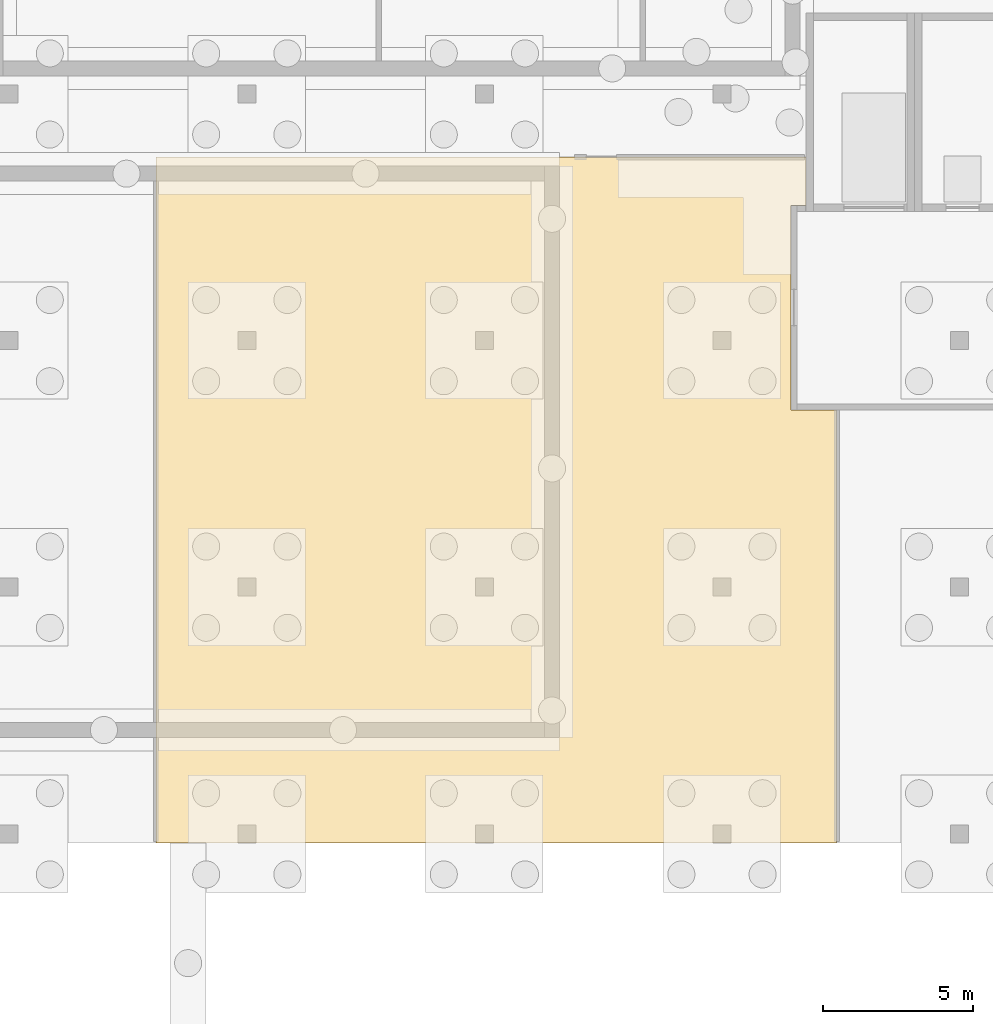
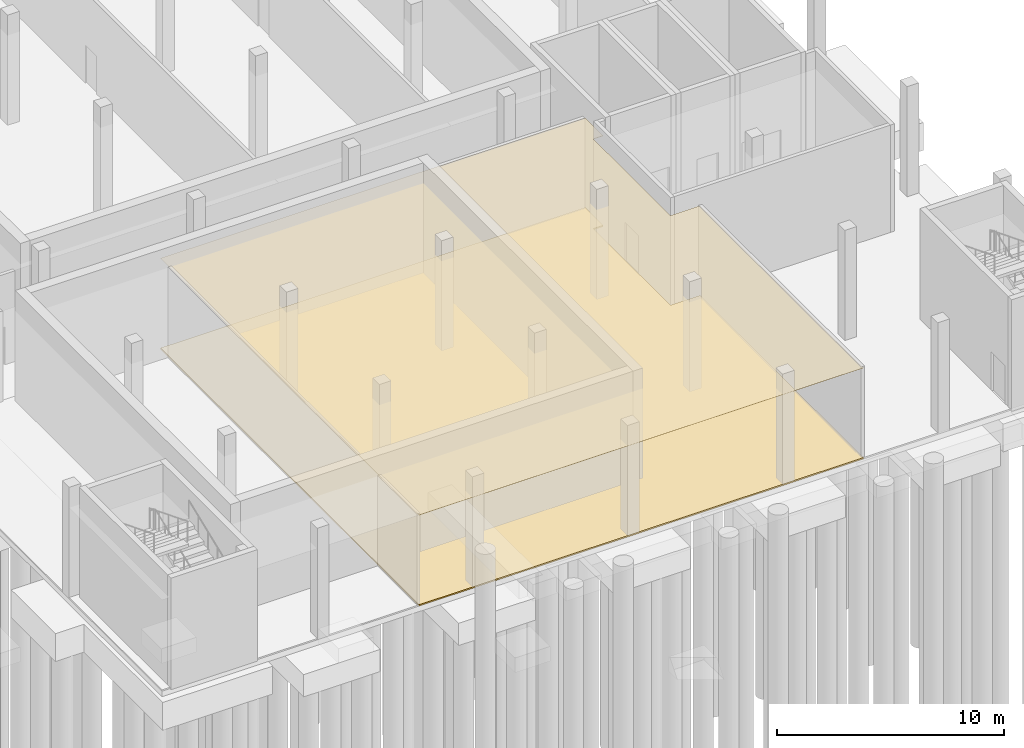
# One storey, part 61 of 66: 2 coverings.
"""IFC4 building model written with IfcOpenShell, lengths in metres."""

from ifc_helpers import new_model, si_unit, direction, frame, origin, place, context, subcontext, project, spatial, polyline, outline, extrude, material, layer, layer_set, type_object, element, save


model = new_model("IFC4")

# Units and contexts
model_context = context("Model", 3, precision=1e-05, world=origin(), true_north=direction((0.0, 1.0)))
body_context = subcontext(model_context, "Body", "Model", "MODEL_VIEW")
ifc_project = project(units=[si_unit("LENGTHUNIT", "METRE"), si_unit("AREAUNIT", "SQUARE_METRE"), si_unit("VOLUMEUNIT", "CUBIC_METRE"), si_unit("PLANEANGLEUNIT", "RADIAN"), si_unit("MASSUNIT", "GRAM", prefix="KILO")], contexts=[model_context])

# Site, building, storey
site_placement = place(None, origin())
site = spatial("IfcSite", under=ifc_project, at=site_placement, CompositionType="ELEMENT")
building_placement = place(site_placement, origin())
building = spatial("IfcBuilding", under=site, at=building_placement, Name="Lunette Opera House", CompositionType="ELEMENT")
storey_placement = place(building_placement, frame((0.0, 0.0, -6.0)))
storey = spatial("IfcBuildingStorey", under=building, at=storey_placement, Name="B1", CompositionType="ELEMENT", Elevation=-6.0)

# Coverings
ifc_material_1 = material(Name="Cement screed")
ifc_layer_1 = layer(ifc_material_1, 0.070068359375)
ifc_layer_set_1 = layer_set([ifc_layer_1], Name="Cement screed")
covering_type_1 = type_object("IfcCoveringType", Name="SCREED FLOOR FINISH 70", PredefinedType="FLOORING", material=ifc_layer_set_1)
covering_1_placement = place(storey_placement, origin())
element("IfcCovering", 1, at=covering_1_placement, inside=storey, type_object=covering_type_1, Name="Floor finish Chiller Plant Room", PredefinedType="FLOORING", context=body_context, shape_type="SweptSolid", body=[
    extrude(outline(polyline([(170.699951171875, 99.199951171875), (170.199951171875, 99.199951171875), (170.199951171875, 92.39990234375), (171.712890625, 92.39990234375), (171.712890625, 78.0), (149.0849609375, 78.0), (149.0849609375, 100.800048828125), (170.699951171875, 100.800048828125), (170.699951171875, 99.199951171875)])), origin(), (0.0, 0.0, 1.0), 0.070068359375),
])
ifc_material_2 = material(Name="Mineral fibre board")
ifc_layer_2 = layer(ifc_material_2, 0.014892578125)
ifc_layer_set_2 = layer_set([ifc_layer_2], Name="Mineral fibre board")
covering_type_2 = type_object("IfcCoveringType", Name="SUSPENDED ACOUSTIC CEILING 15", PredefinedType="CEILING", material=ifc_layer_set_2)
covering_2_placement = place(storey_placement, frame((0.0, 0.0, 4.885009765625)))
element("IfcCovering", 2, at=covering_2_placement, inside=storey, type_object=covering_type_2, Name="Ceiling Chiller Plant Room", PredefinedType="CEILING", context=body_context, shape_type="SweptSolid", body=[
    extrude(outline(polyline([(170.699951171875, 99.199951171875), (170.199951171875, 99.199951171875), (170.199951171875, 92.39990234375), (171.712890625, 92.39990234375), (171.712890625, 78.0), (149.0849609375, 78.0), (149.0849609375, 100.800048828125), (170.699951171875, 100.800048828125), (170.699951171875, 99.199951171875)])), origin(), (0.0, 0.0, 1.0), 0.014892578125),
])

save(model, "model.ifc")
